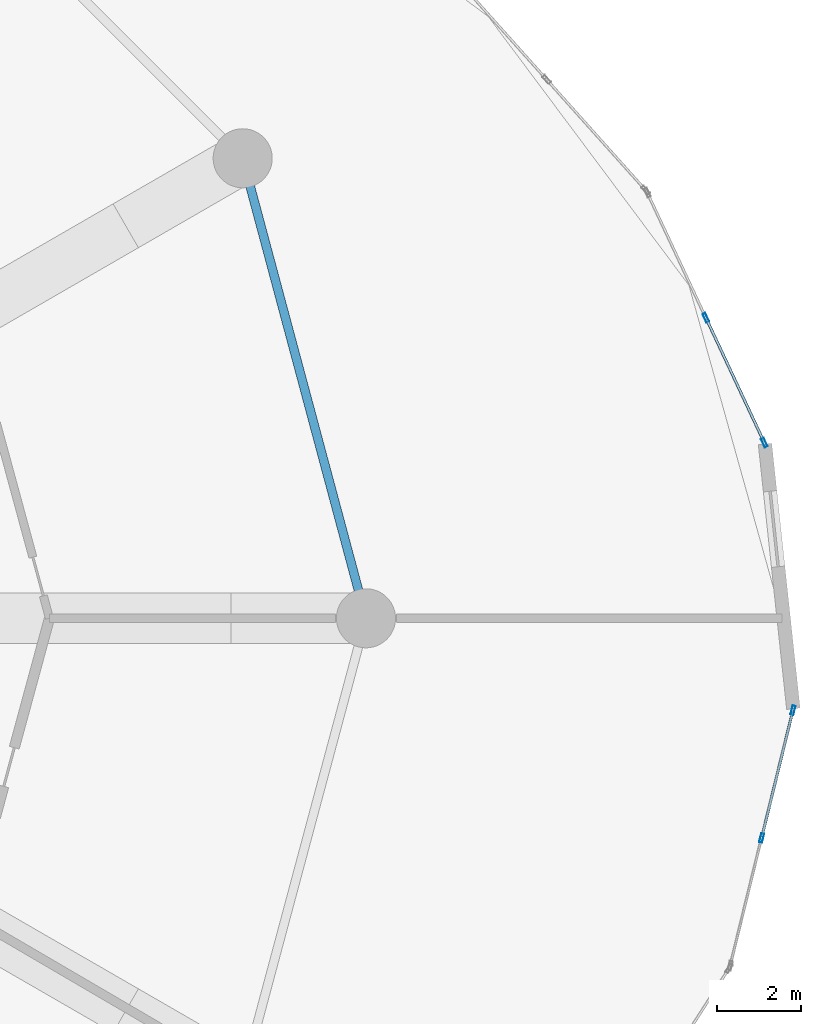
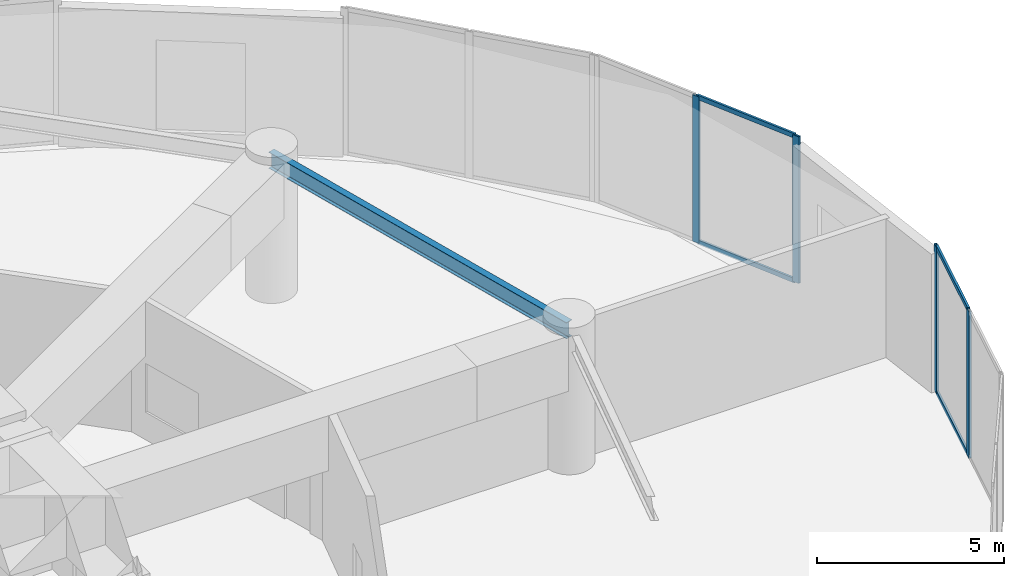
# One storey, part 13 of 27: 8 members, 1 beam, 2 elements without a shape of their own.
"""IFC4 building model written with IfcOpenShell, lengths in metres."""

from ifc_helpers import new_model, si_unit, direction, frame, origin, origin_2d, place, context, subcontext, project, spatial, hollow_rectangle, i_section, extrude, source, transform, mapped, material, layer, layer_set, material_profile, profile_set, type_object, element, aggregate, save


model = new_model("IFC4")

# Units and contexts
model_context = context("Model", 3, precision=1e-05, world=origin(), true_north=direction((0.0, 1.0)))
body_context = subcontext(model_context, "Body", "Model", "MODEL_VIEW")
ifc_project = project(units=[si_unit("LENGTHUNIT", "METRE"), si_unit("AREAUNIT", "SQUARE_METRE"), si_unit("VOLUMEUNIT", "CUBIC_METRE"), si_unit("PLANEANGLEUNIT", "RADIAN"), si_unit("MASSUNIT", "GRAM", prefix="KILO")], contexts=[model_context])

# Site, building, storey
site_placement = place(None, origin())
site = spatial("IfcSite", under=ifc_project, at=site_placement, CompositionType="ELEMENT")
building_placement = place(site_placement, origin())
building = spatial("IfcBuilding", under=site, at=building_placement, Name="Solvirekh Grand Hotel", CompositionType="ELEMENT")
storey_placement = place(building_placement, frame((0.0, 0.0, 23.60009765625)))
storey = spatial("IfcBuildingStorey", under=building, at=storey_placement, Name="L04", CompositionType="ELEMENT", Elevation=23.60009765625)

# Beam
ifc_material_1 = material(Name="Steel S355", Category="steel")
ifc_material_profile_1 = material_profile(ifc_material_1, i_section(OverallWidth=0.208984375, OverallDepth=0.532958984375, WebThickness=0.010009765625, FlangeThickness=0.014892578125, FilletRadius=0.013916015625, at=origin_2d()), Name="W530X92")
ifc_profile_set_1 = profile_set([ifc_material_profile_1], Name="Steel S355")
beam_type = type_object("IfcBeamType", Name="Spandrel_Ring_W530", PredefinedType="SPANDREL", material=ifc_profile_set_1)
beam_placement = place(storey_placement, frame((21.800048828125, 0.0, 4.27294921875), z_axis=(-0.258862249378, 0.965914248703, 0.0), x_axis=(-0.965914248703, -0.258862249378, 0.0)))
element("IfcBeam", 1, at=beam_placement, inside=storey, type_object=beam_type, Name="L04 perimeter spandrel beam 1", PredefinedType="SPANDREL", context=body_context, shape_type="SweptSolid", body=[
    extrude(i_section(OverallWidth=0.208984375, OverallDepth=0.532958984375, WebThickness=0.010009765625, FlangeThickness=0.014892578125, FilletRadius=0.013916015625, at=origin_2d()), origin(), (0.0, 0.0, 1.0), 11.284423828125),
])

# Curtain wall, members
ifc_material_2 = material(Name="Anodized Bronze Aluminium 6063-T6", Category="aluminium")
ifc_layer = layer(ifc_material_2, 0.219970703125)
ifc_layer_set = layer_set([ifc_layer], Name="Anodized Bronze Aluminium 6063-T6")
curtain_wall_type = type_object("IfcCurtainWallType", Name="CW_Sys1_PodiumBronzeUnitised", PredefinedType="NOTDEFINED", material=ifc_layer_set)
curtain_wall_1_placement = place(storey_placement, origin())
curtain_wall_1 = element("IfcCurtainWall", 2, at=curtain_wall_1_placement, inside=storey, type_object=curtain_wall_type, Name="L04 unitised bronze-glass curtain wall CW-L04-C02", PredefinedType="NOTDEFINED")
ifc_material_profile_2 = material_profile(ifc_material_2, hollow_rectangle(XDim=0.06494140625, YDim=0.14990234375, WallThickness=0.0048828125, at=origin_2d()), Name="ALU RHS 150X65X5")
ifc_profile_set_2 = profile_set([ifc_material_profile_2], Name="Anodized Bronze Aluminium 6063-T6")
member_type_1 = type_object("IfcMemberType", Name="CWTransom_Sys1", PredefinedType="USERDEFINED", material=ifc_profile_set_2)
shared_shape_1 = source(origin(), body_context, "Body", "SweptSolid", [
    extrude(hollow_rectangle(XDim=0.06494140625, YDim=0.14990234375, WallThickness=0.0048828125, at=origin_2d()), origin(), (0.0, 0.0, 1.0), 3.193603515625),
])
member_1_placement = place(storey_placement, frame((31.22412109375, 4.196044921875, 0.032470703125), z_axis=(-0.423759974185, 0.905774521765, 0.0), x_axis=(-0.905774521765, -0.423759974185, 0.0)))
member_1 = element("IfcMember", 3, at=member_1_placement, type_object=member_type_1, Name="U01 transom 1.1", ObjectType="TRANSOM", PredefinedType="USERDEFINED", context=body_context, shape_type="MappedRepresentation", body=[
    mapped(shared_shape_1, transform((0.0, 0.0, 0.0), x_axis=(1.0, 0.0, 0.0), y_axis=(0.0, 1.0, 0.0), z_axis=(0.0, 0.0, 1.0), scale=1.0)),
])
member_2_placement = place(storey_placement, frame((31.22412109375, 4.196044921875, 4.767333984375), z_axis=(-0.423759974185, 0.905774521765, 0.0), x_axis=(-0.905774521765, -0.423759974185, 0.0)))
member_2 = element("IfcMember", 4, at=member_2_placement, type_object=member_type_1, Name="U01 transom 1.2", ObjectType="TRANSOM", PredefinedType="USERDEFINED", context=body_context, shape_type="MappedRepresentation", body=[
    mapped(shared_shape_1, transform((0.0, 0.0, 0.0), x_axis=(1.0, 0.0, 0.0), y_axis=(0.0, 1.0, 0.0), z_axis=(0.0, 0.0, 1.0), scale=1.0)),
])

curtain_wall_2_placement = place(storey_placement, origin())
curtain_wall_2 = element("IfcCurtainWall", 5, at=curtain_wall_2_placement, inside=storey, type_object=curtain_wall_type, Name="L04 unitised bronze-glass curtain wall CW-L04-C24", PredefinedType="NOTDEFINED")
shared_shape_2 = source(origin(), body_context, "Body", "SweptSolid", [
    extrude(hollow_rectangle(XDim=0.06494140625, YDim=0.14990234375, WallThickness=0.0048828125, at=origin_2d()), origin(), (0.0, 0.0, 1.0), 3.041015625),
])
member_3_placement = place(storey_placement, frame((31.18505859375, -5.169189453125, 0.032470703125), z_axis=(0.238434409459, 0.971158603106, 0.0), x_axis=(-0.971158603106, 0.238434409459, 0.0)))
member_3 = element("IfcMember", 6, at=member_3_placement, type_object=member_type_1, Name="U01 transom 2.1", ObjectType="TRANSOM", PredefinedType="USERDEFINED", context=body_context, shape_type="MappedRepresentation", body=[
    mapped(shared_shape_2, transform((0.0, 0.0, 0.0), x_axis=(1.0, 0.0, 0.0), y_axis=(0.0, 1.0, 0.0), z_axis=(0.0, 0.0, 1.0), scale=1.0)),
])
member_4_placement = place(storey_placement, frame((31.18505859375, -5.169189453125, 4.767333984375), z_axis=(0.238434409459, 0.971158603106, 0.0), x_axis=(-0.971158603106, 0.238434409459, 0.0)))
member_4 = element("IfcMember", 7, at=member_4_placement, type_object=member_type_1, Name="U01 transom 2.2", ObjectType="TRANSOM", PredefinedType="USERDEFINED", context=body_context, shape_type="MappedRepresentation", body=[
    mapped(shared_shape_2, transform((0.0, 0.0, 0.0), x_axis=(1.0, 0.0, 0.0), y_axis=(0.0, 1.0, 0.0), z_axis=(0.0, 0.0, 1.0), scale=1.0)),
])

# Member
ifc_material_profile_3 = material_profile(ifc_material_2, hollow_rectangle(XDim=0.074951171875, YDim=0.219970703125, WallThickness=0.006103515625, at=origin_2d()), Name="ALU RHS 220X75X6")
ifc_profile_set_3 = profile_set([ifc_material_profile_3], Name="Anodized Bronze Aluminium 6063-T6")
member_type_2 = type_object("IfcMemberType", Name="CWMullion_Sys1", PredefinedType="MULLION", material=ifc_profile_set_3)
shared_shape_3 = source(origin(), body_context, "Body", "SweptSolid", [
    extrude(hollow_rectangle(XDim=0.074951171875, YDim=0.219970703125, WallThickness=0.006103515625, at=origin_2d()), origin(), (0.0, 0.0, 1.0), 4.7998046875),
])
member_5_placement = place(storey_placement, frame((31.239990234375, 4.161865234375, 0.0), z_axis=(0.0, 0.0, 1.0), x_axis=(-0.905769284049, -0.42377116947, 0.0)))
member_5 = element("IfcMember", 8, at=member_5_placement, type_object=member_type_2, Name="U01 mullion 1", PredefinedType="MULLION", context=body_context, shape_type="MappedRepresentation", body=[
    mapped(shared_shape_3, transform((0.0, 0.0, 0.0), x_axis=(1.0, 0.0, 0.0), y_axis=(0.0, 1.0, 0.0), z_axis=(0.0, 0.0, 1.0), scale=1.0)),
])

member_6_placement = place(storey_placement, frame((29.85498046875, 7.12255859375, 0.0), z_axis=(0.0, 0.0, 1.0), x_axis=(-0.905769284049, -0.42377116947, 0.0)))
member_6 = element("IfcMember", 9, at=member_6_placement, type_object=member_type_2, Name="U01 mullion 2", PredefinedType="MULLION", context=body_context, shape_type="MappedRepresentation", body=[
    mapped(shared_shape_3, transform((0.0, 0.0, 0.0), x_axis=(1.0, 0.0, 0.0), y_axis=(0.0, 1.0, 0.0), z_axis=(0.0, 0.0, 1.0), scale=1.0)),
])

aggregate(curtain_wall_1, [member_5, member_6, member_1, member_2])

member_7_placement = place(storey_placement, frame((31.176025390625, -5.20556640625, 0.0), z_axis=(0.0, 0.0, 1.0), x_axis=(-0.971150596168, 0.238467019865, 0.0)))
member_7 = element("IfcMember", 10, at=member_7_placement, type_object=member_type_2, Name="U01 mullion 2", PredefinedType="MULLION", context=body_context, shape_type="MappedRepresentation", body=[
    mapped(shared_shape_3, transform((0.0, 0.0, 0.0), x_axis=(1.0, 0.0, 0.0), y_axis=(0.0, 1.0, 0.0), z_axis=(0.0, 0.0, 1.0), scale=1.0)),
])

member_8_placement = place(storey_placement, frame((31.9189453125, -2.179443359375, 0.0), z_axis=(0.0, 0.0, 1.0), x_axis=(-0.971150596168, 0.238467019865, 0.0)))
member_8 = element("IfcMember", 11, at=member_8_placement, type_object=member_type_2, Name="U01 mullion 3", PredefinedType="MULLION", context=body_context, shape_type="MappedRepresentation", body=[
    mapped(shared_shape_3, transform((0.0, 0.0, 0.0), x_axis=(1.0, 0.0, 0.0), y_axis=(0.0, 1.0, 0.0), z_axis=(0.0, 0.0, 1.0), scale=1.0)),
])

aggregate(curtain_wall_2, [member_7, member_8, member_3, member_4])

save(model, "model.ifc")
